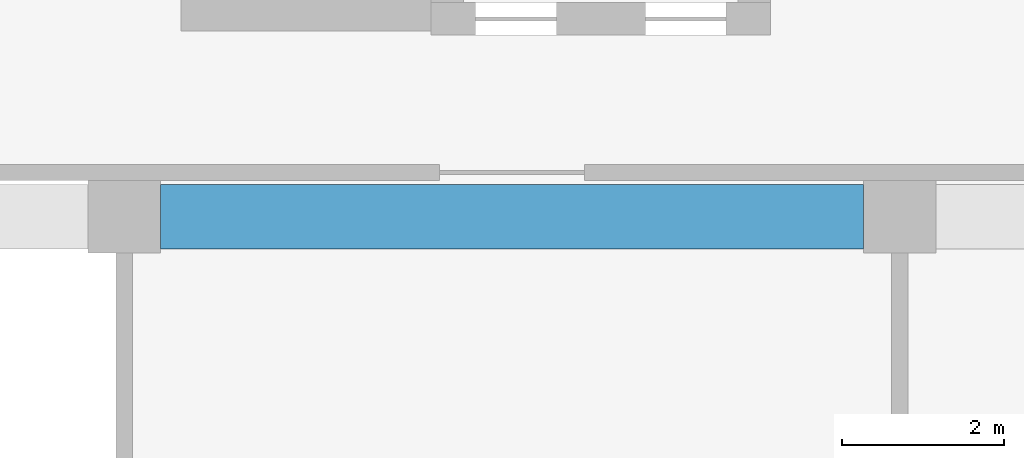
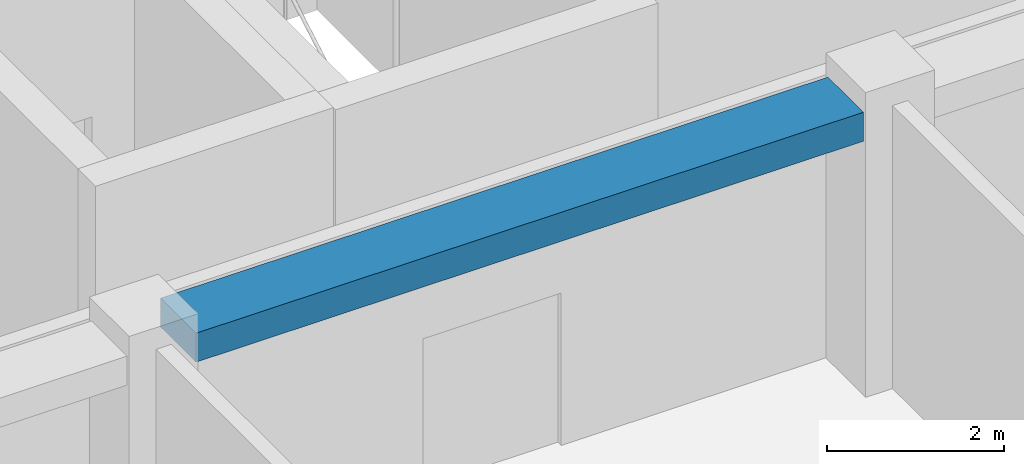
# One storey, part 5 of 37: 1 beam.
"""IFC4 building model written with IfcOpenShell, lengths in metres."""

from ifc_helpers import new_model, si_unit, direction, frame, origin, origin_2d, place, context, subcontext, project, spatial, rectangle, extrude, material, material_profile, profile_set, type_object, element, save


model = new_model("IFC4")

# Units and contexts
model_context = context("Model", 3, precision=1e-05, world=origin(), true_north=direction((0.0, 1.0)))
body_context = subcontext(model_context, "Body", "Model", "MODEL_VIEW")
ifc_project = project(units=[si_unit("LENGTHUNIT", "METRE"), si_unit("AREAUNIT", "SQUARE_METRE"), si_unit("VOLUMEUNIT", "CUBIC_METRE"), si_unit("PLANEANGLEUNIT", "RADIAN"), si_unit("MASSUNIT", "GRAM", prefix="KILO")], contexts=[model_context])

# Site, building, storey
site_placement = place(None, origin())
site = spatial("IfcSite", under=ifc_project, at=site_placement, CompositionType="ELEMENT")
building_placement = place(site_placement, origin())
building = spatial("IfcBuilding", under=site, at=building_placement, Name="Nzadi Deep Aquarium and Research Tower", CompositionType="ELEMENT")
storey_placement = place(building_placement, frame((0.0, 0.0, 61.300048828125)))
storey = spatial("IfcBuildingStorey", under=building, at=storey_placement, Name="L12", CompositionType="ELEMENT", Elevation=61.300048828125)

# Beam
ifc_material = material(Name="Concrete C35/45", Category="concrete")
ifc_material_profile = material_profile(ifc_material, rectangle(XDim=0.800048828125, YDim=0.39990234375, at=origin_2d()))
ifc_profile_set = profile_set([ifc_material_profile], Name="Concrete C35/45")
beam_type = type_object("IfcBeamType", Name="RC 800x400", PredefinedType="BEAM", material=ifc_profile_set)
beam_placement = place(storey_placement, frame((19.64990234375, 9.199951171875, 3.699951171875), z_axis=(1.0, 0.0, 0.0), x_axis=(0.0, 1.0, 0.0)))
element("IfcBeam", 1, at=beam_placement, inside=storey, type_object=beam_type, Name="B-Z1-L12-L2-3", PredefinedType="BEAM", context=body_context, shape_type="SweptSolid", body=[
    extrude(rectangle(XDim=0.800048828125, YDim=0.39990234375, at=origin_2d()), origin(), (0.0, 0.0, 1.0), 8.7001953125),
])

save(model, "model.ifc")
